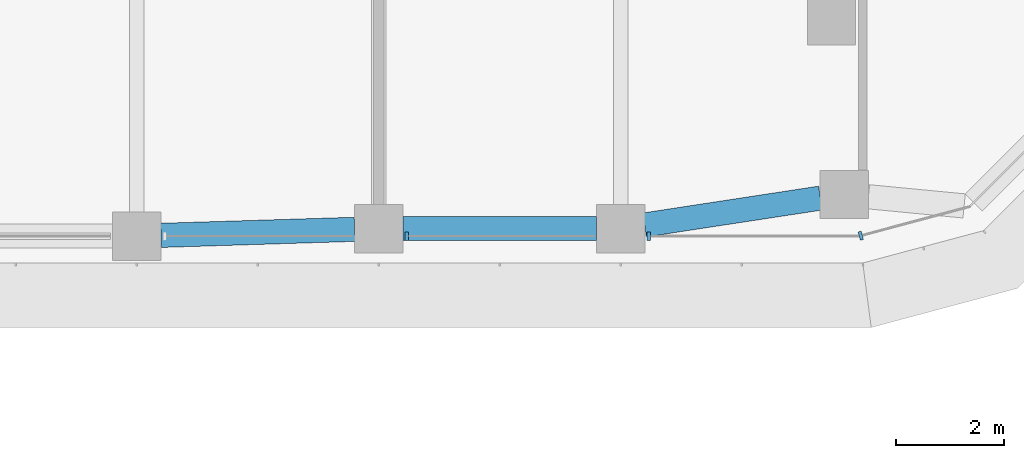
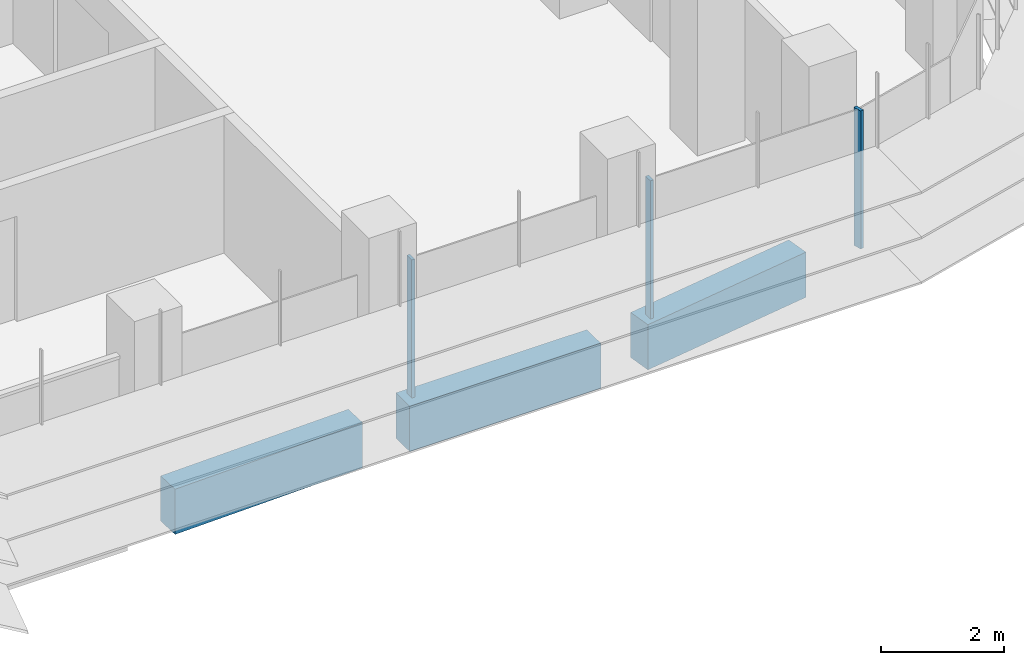
# One storey, part 5 of 22: 3 beams, 3 members, 2 elements without a shape of their own.
"""IFC4 building model written with IfcOpenShell, lengths in metres."""

from ifc_helpers import new_model, si_unit, direction, frame, origin, origin_2d, place, context, subcontext, project, spatial, polyline, rectangle, outline, extrude, source, transform, mapped, material, material_profile, profile_set, type_object, element, aggregate, save


model = new_model("IFC4")

# Units and contexts
model_context = context("Model", 3, precision=1e-05, world=origin(), true_north=direction((0.0, 1.0)))
body_context = subcontext(model_context, "Body", "Model", "MODEL_VIEW")
ifc_project = project(units=[si_unit("LENGTHUNIT", "METRE"), si_unit("AREAUNIT", "SQUARE_METRE"), si_unit("VOLUMEUNIT", "CUBIC_METRE"), si_unit("PLANEANGLEUNIT", "RADIAN"), si_unit("MASSUNIT", "GRAM", prefix="KILO")], contexts=[model_context])

# Site, building, storey
site_placement = place(None, origin())
site = spatial("IfcSite", under=ifc_project, at=site_placement, CompositionType="ELEMENT")
building_placement = place(site_placement, origin())
building = spatial("IfcBuilding", under=site, at=building_placement, Name="Zarbagh Exchange Tower", CompositionType="ELEMENT")
storey_placement = place(building_placement, frame((0.0, 0.0, 98.0)))
storey = spatial("IfcBuildingStorey", under=building, at=storey_placement, Name="L22", CompositionType="ELEMENT", Elevation=98.0)

# Beams
ifc_material_1 = material(Name="Concrete C60/75", Category="concrete")
ifc_material_profile = material_profile(ifc_material_1, rectangle(XDim=0.449951171875, YDim=0.89990234375, at=origin_2d()), Name="RC spandrel beam 450 x 900 C60/75")
ifc_profile_set = profile_set([ifc_material_profile], Name="Concrete C60/75")
beam_type = type_object("IfcBeamType", Name="RC spandrel beam 450 x 900 C60/75", PredefinedType="SPANDREL", material=ifc_profile_set)
beam_1_placement = place(storey_placement, frame((28.463134765625, -5.54296875, -0.60009765625), z_axis=(-0.988543505948, -0.150936201252, 0.0), x_axis=(0.150936201252, -0.988543505948, 0.0)))
element("IfcBeam", 1, at=beam_1_placement, inside=storey, type_object=beam_type, Name="RC spandrel beam", PredefinedType="SPANDREL", context=body_context, shape_type="SweptSolid", body=[
    extrude(rectangle(XDim=0.449951171875, YDim=0.89990234375, at=origin_2d()), origin(), (0.0, 0.0, 1.0), 3.30615234375),
])
beam_2_placement = place(storey_placement, frame((24.300048828125, -6.110107421875, -0.60009765625), z_axis=(-1.0, 0.0, 0.0), x_axis=(0.0, -1.0, 0.0)))
element("IfcBeam", 2, at=beam_2_placement, inside=storey, type_object=beam_type, Name="RC spandrel beam", PredefinedType="SPANDREL", context=body_context, shape_type="SweptSolid", body=[
    extrude(rectangle(XDim=0.449951171875, YDim=0.89990234375, at=origin_2d()), origin(), (0.0, 0.0, 1.0), 3.60009765625),
])
beam_3_placement = place(storey_placement, frame((19.80029296875, -6.1240234375, -0.60009765625), z_axis=(-0.999516035224, -0.031107801747, 0.0), x_axis=(0.031107801747, -0.999516035224, 0.0)))
element("IfcBeam", 3, at=beam_3_placement, inside=storey, type_object=beam_type, Name="RC spandrel beam", PredefinedType="SPANDREL", context=body_context, shape_type="SweptSolid", body=[
    extrude(rectangle(XDim=0.449951171875, YDim=0.89990234375, at=origin_2d()), origin(), (0.0, 0.0, 1.0), 3.602294921875),
])

# Curtain wall, members
ifc_material_2 = material(Name="Anodised aluminium frame and glazing", Category="aluminium")
curtain_wall_type = type_object("IfcCurtainWallType", Name="CWA Ribbon glazing, lower zones", PredefinedType="NOTDEFINED", material=ifc_material_2)
curtain_wall_1_placement = place(storey_placement, origin())
curtain_wall_1 = element("IfcCurtainWall", 4, at=curtain_wall_1_placement, inside=storey, type_object=curtain_wall_type, Name="CWA08 curtain wall", PredefinedType="NOTDEFINED")
ifc_material_3 = material(Name="Anodised aluminium frame", Category="aluminium")
member_type = type_object("IfcMemberType", Name="MUA Mullion, anodised aluminium frame", PredefinedType="MULLION", material=ifc_material_3)
shared_shape = source(origin(), body_context, "Body", "SweptSolid", [
    extrude(outline(polyline([(0.0, -0.080078125), (0.06005859375, -0.080078125), (0.06005859375, 0.080078125), (0.0, 0.080078125), (0.0, -0.080078125)])), origin(), (0.0, 0.0, 1.0), 2.75),
])
placement = place(storey_placement, origin())
member_1 = element("IfcMember", 5, at=placement, type_object=member_type, Name="CWA08 mullion 3.1", PredefinedType="MULLION", context=body_context, shape_type="MappedRepresentation", body=[
    mapped(shared_shape, transform((20.739990234375, -6.25, 0.0), x_axis=(1.0, 0.0, 0.0), y_axis=(0.0, 1.0, 0.0), z_axis=(0.0, 0.0, 1.0))),
])
member_2 = element("IfcMember", 6, at=placement, type_object=member_type, Name="CWA08 mullion 4.1", PredefinedType="MULLION", context=body_context, shape_type="MappedRepresentation", body=[
    mapped(shared_shape, transform((25.239990234375, -6.25, 0.0), x_axis=(1.0, 0.0, 0.0), y_axis=(0.0, 1.0, 0.0), z_axis=(0.0, 0.0, 1.0))),
])
aggregate(curtain_wall_1, [member_1, member_2])

# Curtain wall, member
curtain_wall_2_placement = place(storey_placement, origin())
curtain_wall_2 = element("IfcCurtainWall", 7, at=curtain_wall_2_placement, inside=storey, type_object=curtain_wall_type, Name="CWA09 curtain wall", PredefinedType="NOTDEFINED")
member_3 = element("IfcMember", 8, at=placement, type_object=member_type, Name="CWA09 mullion 1.1", PredefinedType="MULLION", context=body_context, shape_type="MappedRepresentation", body=[
    mapped(shared_shape, transform((29.18408203125, -6.25, 0.0), x_axis=(0.965924289636, 0.258824779902, 0.0), y_axis=(-0.258824779902, 0.965924289636, 0.0), z_axis=(0.0, 0.0, 1.0))),
])
aggregate(curtain_wall_2, [member_3])

save(model, "model.ifc")
